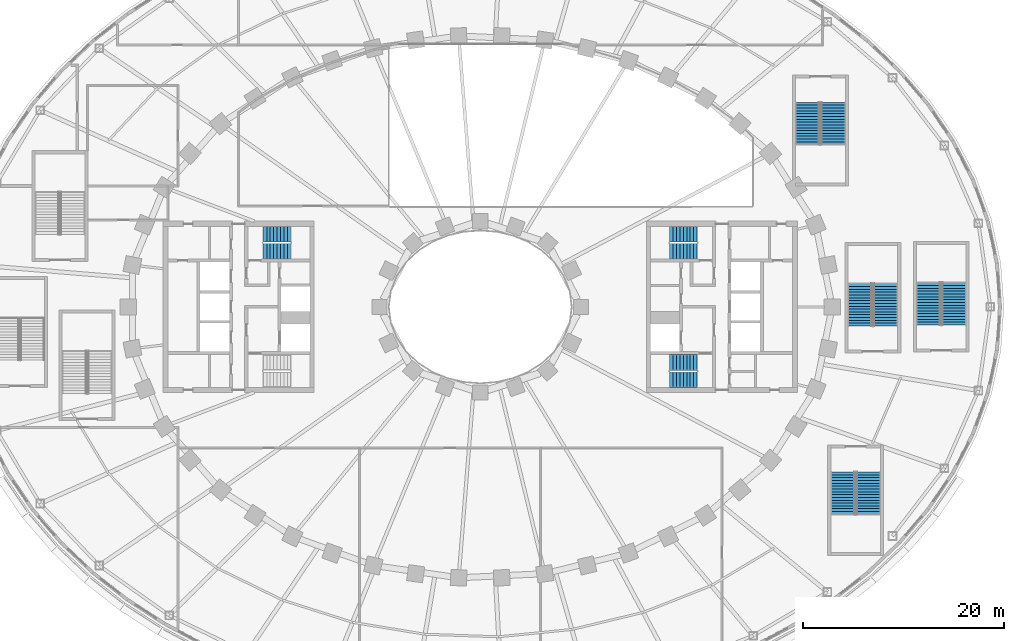
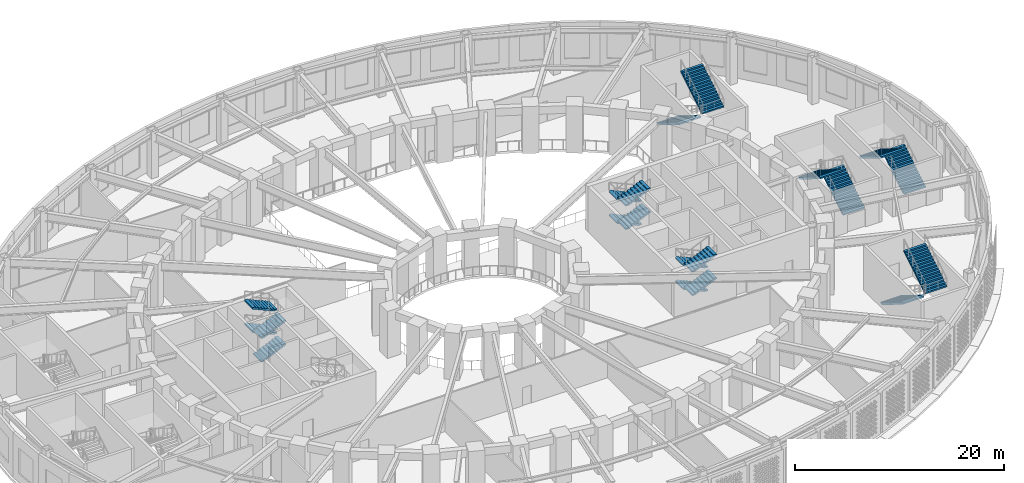
# One storey, part 23 of 69: 20 stair flights, 7 elements without a shape of their own.
"""IFC4 building model written with IfcOpenShell, lengths in metres."""

from ifc_helpers import new_model, si_unit, direction, frame, origin, place, context, subcontext, project, spatial, polyline, outline, extrude, material, type_object, element, aggregate, save


model = new_model("IFC4")

# Units and contexts
model_context = context("Model", 3, precision=1e-05, world=origin(), true_north=direction((0.0, 1.0)))
body_context = subcontext(model_context, "Body", "Model", "MODEL_VIEW")
ifc_project = project(units=[si_unit("LENGTHUNIT", "METRE"), si_unit("AREAUNIT", "SQUARE_METRE"), si_unit("VOLUMEUNIT", "CUBIC_METRE"), si_unit("PLANEANGLEUNIT", "RADIAN"), si_unit("MASSUNIT", "GRAM", prefix="KILO")], contexts=[model_context])

# Site, building, storey
site_placement = place(None, origin())
site = spatial("IfcSite", under=ifc_project, at=site_placement, CompositionType="ELEMENT")
building_placement = place(site_placement, origin())
building = spatial("IfcBuilding", under=site, at=building_placement, Name="Noorbagh Ring Tower", CompositionType="ELEMENT")
storey_placement = place(building_placement, frame((0.0, 0.0, 19.5)))
storey = spatial("IfcBuildingStorey", under=building, at=storey_placement, Name="L03", CompositionType="ELEMENT", Elevation=19.5)

# Stair, stair flights
ifc_material_1 = material(Name="Concrete C40/50", Category="concrete")
stair_type_1 = type_object("IfcStairType", Name="CORE-STAIR", PredefinedType="HALF_TURN_STAIR", material=ifc_material_1)
stair_1_placement = place(storey_placement, origin())
stair_1 = element("IfcStair", 1, at=stair_1_placement, inside=storey, type_object=stair_type_1, Name="L03 Exit stair ST1", PredefinedType="HALF_TURN_STAIR")
ifc_material_2 = material(Name="Concrete C40/50", Category="concrete")
stair_flight_type_1 = type_object("IfcStairFlightType", Name="CORE-STAIR-FLIGHT", PredefinedType="STRAIGHT", material=ifc_material_2)
stair_flight_1_placement = place(storey_placement, frame((-21.530029296875, 5.52490234375, 0.0), z_axis=(0.0, 0.0, 1.0), x_axis=(1.0, 0.0, 0.0)))
stair_flight_1 = element("IfcStairFlight", 2, at=stair_flight_1_placement, type_object=stair_flight_type_1, Name="ST1 flight 1", NumberOfRisers=9, NumberOfTreads=8, PredefinedType="STRAIGHT", RiserHeight=0.152777778, TreadLength=0.34, context=body_context, shape_type="SweptSolid", body=[
    extrude(outline(polyline([(0.0, 0.0), (0.0, 0.15283203125), (0.340087890625, 0.15283203125), (0.340087890625, 0.3056640625), (0.679931640625, 0.3056640625), (0.679931640625, 0.458251953125), (1.02001953125, 0.458251953125), (1.02001953125, 0.611083984375), (1.360107421875, 0.611083984375), (1.360107421875, 0.763916015625), (1.699951171875, 0.763916015625), (1.699951171875, 0.916748046875), (2.0400390625, 0.916748046875), (2.0400390625, 1.0693359375), (2.3798828125, 1.0693359375), (2.3798828125, 1.22216796875), (2.719970703125, 1.22216796875), (2.719970703125, 1.375), (2.719970703125, 1.057861328125), (0.36572265625, 0.0), (0.0, 0.0)])), frame((0.0, 0.77490234375, 0.0), z_axis=(0.0, -1.0, 0.0), x_axis=(1.0, 0.0, 0.0)), (0.0, 0.0, 1.0), 1.550048828125),
])
stair_flight_2_placement = place(storey_placement, frame((-18.81005859375, 7.22509765625, 1.375), z_axis=(0.0, 0.0, 1.0), x_axis=(-1.0, 0.0, 0.0)))
stair_flight_2 = element("IfcStairFlight", 3, at=stair_flight_2_placement, type_object=stair_flight_type_1, Name="ST1 flight 2", NumberOfRisers=9, NumberOfTreads=8, PredefinedType="STRAIGHT", RiserHeight=0.152777778, TreadLength=0.34, context=body_context, shape_type="SweptSolid", body=[
    extrude(outline(polyline([(0.0, 0.0), (0.0, 0.15283203125), (0.340087890625, 0.15283203125), (0.340087890625, 0.3056640625), (0.679931640625, 0.3056640625), (0.679931640625, 0.458251953125), (1.02001953125, 0.458251953125), (1.02001953125, 0.611083984375), (1.360107421875, 0.611083984375), (1.360107421875, 0.763916015625), (1.699951171875, 0.763916015625), (1.699951171875, 0.916748046875), (2.0400390625, 0.916748046875), (2.0400390625, 1.0693359375), (2.3798828125, 1.0693359375), (2.3798828125, 1.22216796875), (2.719970703125, 1.22216796875), (2.719970703125, 1.375), (2.719970703125, 1.057861328125), (0.36572265625, 0.0), (0.0, 0.0)])), frame((0.0, 0.77490234375, 0.0), z_axis=(0.0, -1.0, 0.0), x_axis=(1.0, 0.0, 0.0)), (0.0, 0.0, 1.0), 1.550048828125),
])
stair_flight_3_placement = place(storey_placement, frame((-21.530029296875, 5.52490234375, 2.75), z_axis=(0.0, 0.0, 1.0), x_axis=(1.0, 0.0, 0.0)))
stair_flight_3 = element("IfcStairFlight", 4, at=stair_flight_3_placement, type_object=stair_flight_type_1, Name="ST1 flight 3", NumberOfRisers=9, NumberOfTreads=8, PredefinedType="STRAIGHT", RiserHeight=0.152777778, TreadLength=0.34, context=body_context, shape_type="SweptSolid", body=[
    extrude(outline(polyline([(0.0, 0.0), (0.0, 0.15283203125), (0.340087890625, 0.15283203125), (0.340087890625, 0.3056640625), (0.679931640625, 0.3056640625), (0.679931640625, 0.458251953125), (1.02001953125, 0.458251953125), (1.02001953125, 0.611083984375), (1.360107421875, 0.611083984375), (1.360107421875, 0.763916015625), (1.699951171875, 0.763916015625), (1.699951171875, 0.916748046875), (2.0400390625, 0.916748046875), (2.0400390625, 1.0693359375), (2.3798828125, 1.0693359375), (2.3798828125, 1.22216796875), (2.719970703125, 1.22216796875), (2.719970703125, 1.375), (2.719970703125, 1.057861328125), (0.36572265625, 0.0), (0.0, 0.0)])), frame((0.0, 0.77490234375, 0.0), z_axis=(0.0, -1.0, 0.0), x_axis=(1.0, 0.0, 0.0)), (0.0, 0.0, 1.0), 1.550048828125),
])
stair_flight_4_placement = place(storey_placement, frame((-18.81005859375, 7.22509765625, 4.125), z_axis=(0.0, 0.0, 1.0), x_axis=(-1.0, 0.0, 0.0)))
stair_flight_4 = element("IfcStairFlight", 5, at=stair_flight_4_placement, type_object=stair_flight_type_1, Name="ST1 flight 4", NumberOfRisers=9, NumberOfTreads=8, PredefinedType="STRAIGHT", RiserHeight=0.152777778, TreadLength=0.34, context=body_context, shape_type="SweptSolid", body=[
    extrude(outline(polyline([(0.0, 0.0), (0.0, 0.15283203125), (0.340087890625, 0.15283203125), (0.340087890625, 0.3056640625), (0.679931640625, 0.3056640625), (0.679931640625, 0.458251953125), (1.02001953125, 0.458251953125), (1.02001953125, 0.611083984375), (1.360107421875, 0.611083984375), (1.360107421875, 0.763916015625), (1.699951171875, 0.763916015625), (1.699951171875, 0.916748046875), (2.0400390625, 0.916748046875), (2.0400390625, 1.0693359375), (2.3798828125, 1.0693359375), (2.3798828125, 1.22216796875), (2.719970703125, 1.22216796875), (2.719970703125, 1.375), (2.719970703125, 1.057861328125), (0.36572265625, 0.0), (0.0, 0.0)])), frame((0.0, 0.77490234375, 0.0), z_axis=(0.0, -1.0, 0.0), x_axis=(1.0, 0.0, 0.0)), (0.0, 0.0, 1.0), 1.550048828125),
])
aggregate(stair_1, [stair_flight_1, stair_flight_2, stair_flight_3, stair_flight_4])

stair_2_placement = place(storey_placement, origin())
stair_2 = element("IfcStair", 6, at=stair_2_placement, inside=storey, type_object=stair_type_1, Name="L03 Exit stair ST3", PredefinedType="HALF_TURN_STAIR")
stair_flight_5_placement = place(storey_placement, frame((21.530029296875, 7.22509765625, 0.0), z_axis=(0.0, 0.0, 1.0), x_axis=(-1.0, 0.0, 0.0)))
stair_flight_5 = element("IfcStairFlight", 7, at=stair_flight_5_placement, type_object=stair_flight_type_1, Name="ST3 flight 1", NumberOfRisers=9, NumberOfTreads=8, PredefinedType="STRAIGHT", RiserHeight=0.152777778, TreadLength=0.34, context=body_context, shape_type="SweptSolid", body=[
    extrude(outline(polyline([(0.0, 0.0), (0.0, 0.15283203125), (0.340087890625, 0.15283203125), (0.340087890625, 0.3056640625), (0.679931640625, 0.3056640625), (0.679931640625, 0.458251953125), (1.02001953125, 0.458251953125), (1.02001953125, 0.611083984375), (1.360107421875, 0.611083984375), (1.360107421875, 0.763916015625), (1.699951171875, 0.763916015625), (1.699951171875, 0.916748046875), (2.0400390625, 0.916748046875), (2.0400390625, 1.0693359375), (2.3798828125, 1.0693359375), (2.3798828125, 1.22216796875), (2.719970703125, 1.22216796875), (2.719970703125, 1.375), (2.719970703125, 1.057861328125), (0.36572265625, 0.0), (0.0, 0.0)])), frame((0.0, 0.77490234375, 0.0), z_axis=(0.0, -1.0, 0.0), x_axis=(1.0, 0.0, 0.0)), (0.0, 0.0, 1.0), 1.550048828125),
])
stair_flight_6_placement = place(storey_placement, frame((18.81005859375, 5.52490234375, 1.375), z_axis=(0.0, 0.0, 1.0), x_axis=(1.0, 0.0, 0.0)))
stair_flight_6 = element("IfcStairFlight", 8, at=stair_flight_6_placement, type_object=stair_flight_type_1, Name="ST3 flight 2", NumberOfRisers=9, NumberOfTreads=8, PredefinedType="STRAIGHT", RiserHeight=0.152777778, TreadLength=0.34, context=body_context, shape_type="SweptSolid", body=[
    extrude(outline(polyline([(0.0, 0.0), (0.0, 0.15283203125), (0.340087890625, 0.15283203125), (0.340087890625, 0.3056640625), (0.679931640625, 0.3056640625), (0.679931640625, 0.458251953125), (1.02001953125, 0.458251953125), (1.02001953125, 0.611083984375), (1.360107421875, 0.611083984375), (1.360107421875, 0.763916015625), (1.699951171875, 0.763916015625), (1.699951171875, 0.916748046875), (2.0400390625, 0.916748046875), (2.0400390625, 1.0693359375), (2.3798828125, 1.0693359375), (2.3798828125, 1.22216796875), (2.719970703125, 1.22216796875), (2.719970703125, 1.375), (2.719970703125, 1.057861328125), (0.36572265625, 0.0), (0.0, 0.0)])), frame((0.0, 0.77490234375, 0.0), z_axis=(0.0, -1.0, 0.0), x_axis=(1.0, 0.0, 0.0)), (0.0, 0.0, 1.0), 1.550048828125),
])
stair_flight_7_placement = place(storey_placement, frame((21.530029296875, 7.22509765625, 2.75), z_axis=(0.0, 0.0, 1.0), x_axis=(-1.0, 0.0, 0.0)))
stair_flight_7 = element("IfcStairFlight", 9, at=stair_flight_7_placement, type_object=stair_flight_type_1, Name="ST3 flight 3", NumberOfRisers=9, NumberOfTreads=8, PredefinedType="STRAIGHT", RiserHeight=0.152777778, TreadLength=0.34, context=body_context, shape_type="SweptSolid", body=[
    extrude(outline(polyline([(0.0, 0.0), (0.0, 0.15283203125), (0.340087890625, 0.15283203125), (0.340087890625, 0.3056640625), (0.679931640625, 0.3056640625), (0.679931640625, 0.458251953125), (1.02001953125, 0.458251953125), (1.02001953125, 0.611083984375), (1.360107421875, 0.611083984375), (1.360107421875, 0.763916015625), (1.699951171875, 0.763916015625), (1.699951171875, 0.916748046875), (2.0400390625, 0.916748046875), (2.0400390625, 1.0693359375), (2.3798828125, 1.0693359375), (2.3798828125, 1.22216796875), (2.719970703125, 1.22216796875), (2.719970703125, 1.375), (2.719970703125, 1.057861328125), (0.36572265625, 0.0), (0.0, 0.0)])), frame((0.0, 0.77490234375, 0.0), z_axis=(0.0, -1.0, 0.0), x_axis=(1.0, 0.0, 0.0)), (0.0, 0.0, 1.0), 1.550048828125),
])
stair_flight_8_placement = place(storey_placement, frame((18.81005859375, 5.52490234375, 4.125), z_axis=(0.0, 0.0, 1.0), x_axis=(1.0, 0.0, 0.0)))
stair_flight_8 = element("IfcStairFlight", 10, at=stair_flight_8_placement, type_object=stair_flight_type_1, Name="ST3 flight 4", NumberOfRisers=9, NumberOfTreads=8, PredefinedType="STRAIGHT", RiserHeight=0.152777778, TreadLength=0.34, context=body_context, shape_type="SweptSolid", body=[
    extrude(outline(polyline([(0.0, 0.0), (0.0, 0.15283203125), (0.340087890625, 0.15283203125), (0.340087890625, 0.3056640625), (0.679931640625, 0.3056640625), (0.679931640625, 0.458251953125), (1.02001953125, 0.458251953125), (1.02001953125, 0.611083984375), (1.360107421875, 0.611083984375), (1.360107421875, 0.763916015625), (1.699951171875, 0.763916015625), (1.699951171875, 0.916748046875), (2.0400390625, 0.916748046875), (2.0400390625, 1.0693359375), (2.3798828125, 1.0693359375), (2.3798828125, 1.22216796875), (2.719970703125, 1.22216796875), (2.719970703125, 1.375), (2.719970703125, 1.057861328125), (0.36572265625, 0.0), (0.0, 0.0)])), frame((0.0, 0.77490234375, 0.0), z_axis=(0.0, -1.0, 0.0), x_axis=(1.0, 0.0, 0.0)), (0.0, 0.0, 1.0), 1.550048828125),
])
aggregate(stair_2, [stair_flight_5, stair_flight_6, stair_flight_7, stair_flight_8])

stair_3_placement = place(storey_placement, origin())
stair_3 = element("IfcStair", 11, at=stair_3_placement, inside=storey, type_object=stair_type_1, Name="L03 Exit stair ST4", PredefinedType="HALF_TURN_STAIR")
stair_flight_9_placement = place(storey_placement, frame((21.530029296875, -5.52490234375, 0.0), z_axis=(0.0, 0.0, 1.0), x_axis=(-1.0, 0.0, 0.0)))
stair_flight_9 = element("IfcStairFlight", 12, at=stair_flight_9_placement, type_object=stair_flight_type_1, Name="ST4 flight 1", NumberOfRisers=9, NumberOfTreads=8, PredefinedType="STRAIGHT", RiserHeight=0.152777778, TreadLength=0.34, context=body_context, shape_type="SweptSolid", body=[
    extrude(outline(polyline([(0.0, 0.0), (0.0, 0.15283203125), (0.340087890625, 0.15283203125), (0.340087890625, 0.3056640625), (0.679931640625, 0.3056640625), (0.679931640625, 0.458251953125), (1.02001953125, 0.458251953125), (1.02001953125, 0.611083984375), (1.360107421875, 0.611083984375), (1.360107421875, 0.763916015625), (1.699951171875, 0.763916015625), (1.699951171875, 0.916748046875), (2.0400390625, 0.916748046875), (2.0400390625, 1.0693359375), (2.3798828125, 1.0693359375), (2.3798828125, 1.22216796875), (2.719970703125, 1.22216796875), (2.719970703125, 1.375), (2.719970703125, 1.057861328125), (0.36572265625, 0.0), (0.0, 0.0)])), frame((0.0, 0.77490234375, 0.0), z_axis=(0.0, -1.0, 0.0), x_axis=(1.0, 0.0, 0.0)), (0.0, 0.0, 1.0), 1.550048828125),
])
stair_flight_10_placement = place(storey_placement, frame((18.81005859375, -7.22509765625, 1.375), z_axis=(0.0, 0.0, 1.0), x_axis=(1.0, 0.0, 0.0)))
stair_flight_10 = element("IfcStairFlight", 13, at=stair_flight_10_placement, type_object=stair_flight_type_1, Name="ST4 flight 2", NumberOfRisers=9, NumberOfTreads=8, PredefinedType="STRAIGHT", RiserHeight=0.152777778, TreadLength=0.34, context=body_context, shape_type="SweptSolid", body=[
    extrude(outline(polyline([(0.0, 0.0), (0.0, 0.15283203125), (0.340087890625, 0.15283203125), (0.340087890625, 0.3056640625), (0.679931640625, 0.3056640625), (0.679931640625, 0.458251953125), (1.02001953125, 0.458251953125), (1.02001953125, 0.611083984375), (1.360107421875, 0.611083984375), (1.360107421875, 0.763916015625), (1.699951171875, 0.763916015625), (1.699951171875, 0.916748046875), (2.0400390625, 0.916748046875), (2.0400390625, 1.0693359375), (2.3798828125, 1.0693359375), (2.3798828125, 1.22216796875), (2.719970703125, 1.22216796875), (2.719970703125, 1.375), (2.719970703125, 1.057861328125), (0.36572265625, 0.0), (0.0, 0.0)])), frame((0.0, 0.77490234375, 0.0), z_axis=(0.0, -1.0, 0.0), x_axis=(1.0, 0.0, 0.0)), (0.0, 0.0, 1.0), 1.550048828125),
])
stair_flight_11_placement = place(storey_placement, frame((21.530029296875, -5.52490234375, 2.75), z_axis=(0.0, 0.0, 1.0), x_axis=(-1.0, 0.0, 0.0)))
stair_flight_11 = element("IfcStairFlight", 14, at=stair_flight_11_placement, type_object=stair_flight_type_1, Name="ST4 flight 3", NumberOfRisers=9, NumberOfTreads=8, PredefinedType="STRAIGHT", RiserHeight=0.152777778, TreadLength=0.34, context=body_context, shape_type="SweptSolid", body=[
    extrude(outline(polyline([(0.0, 0.0), (0.0, 0.15283203125), (0.340087890625, 0.15283203125), (0.340087890625, 0.3056640625), (0.679931640625, 0.3056640625), (0.679931640625, 0.458251953125), (1.02001953125, 0.458251953125), (1.02001953125, 0.611083984375), (1.360107421875, 0.611083984375), (1.360107421875, 0.763916015625), (1.699951171875, 0.763916015625), (1.699951171875, 0.916748046875), (2.0400390625, 0.916748046875), (2.0400390625, 1.0693359375), (2.3798828125, 1.0693359375), (2.3798828125, 1.22216796875), (2.719970703125, 1.22216796875), (2.719970703125, 1.375), (2.719970703125, 1.057861328125), (0.36572265625, 0.0), (0.0, 0.0)])), frame((0.0, 0.77490234375, 0.0), z_axis=(0.0, -1.0, 0.0), x_axis=(1.0, 0.0, 0.0)), (0.0, 0.0, 1.0), 1.550048828125),
])
stair_flight_12_placement = place(storey_placement, frame((18.81005859375, -7.22509765625, 4.125), z_axis=(0.0, 0.0, 1.0), x_axis=(1.0, 0.0, 0.0)))
stair_flight_12 = element("IfcStairFlight", 15, at=stair_flight_12_placement, type_object=stair_flight_type_1, Name="ST4 flight 4", NumberOfRisers=9, NumberOfTreads=8, PredefinedType="STRAIGHT", RiserHeight=0.152777778, TreadLength=0.34, context=body_context, shape_type="SweptSolid", body=[
    extrude(outline(polyline([(0.0, 0.0), (0.0, 0.15283203125), (0.340087890625, 0.15283203125), (0.340087890625, 0.3056640625), (0.679931640625, 0.3056640625), (0.679931640625, 0.458251953125), (1.02001953125, 0.458251953125), (1.02001953125, 0.611083984375), (1.360107421875, 0.611083984375), (1.360107421875, 0.763916015625), (1.699951171875, 0.763916015625), (1.699951171875, 0.916748046875), (2.0400390625, 0.916748046875), (2.0400390625, 1.0693359375), (2.3798828125, 1.0693359375), (2.3798828125, 1.22216796875), (2.719970703125, 1.22216796875), (2.719970703125, 1.375), (2.719970703125, 1.057861328125), (0.36572265625, 0.0), (0.0, 0.0)])), frame((0.0, 0.77490234375, 0.0), z_axis=(0.0, -1.0, 0.0), x_axis=(1.0, 0.0, 0.0)), (0.0, 0.0, 1.0), 1.550048828125),
])
aggregate(stair_3, [stair_flight_9, stair_flight_10, stair_flight_11, stair_flight_12])

ifc_material_3 = material(Name="Concrete C40/50", Category="concrete")
stair_type_2 = type_object("IfcStairType", Name="GND-STAIR", PredefinedType="HALF_TURN_STAIR", material=ifc_material_3)
stair_4_placement = place(storey_placement, origin())
stair_4 = element("IfcStair", 16, at=stair_4_placement, inside=storey, type_object=stair_type_2, Name="L03 exit stair ST-P2", PredefinedType="HALF_TURN_STAIR")
ifc_material_4 = material(Name="Concrete C40/50", Category="concrete")
stair_flight_type_2 = type_object("IfcStairFlightType", Name="GND-STAIR-FLIGHT", PredefinedType="STRAIGHT", material=ifc_material_4)
stair_flight_13_placement = place(storey_placement, frame((40.25, -1.89990234375, 0.0), z_axis=(0.0, 0.0, 1.0), x_axis=(0.0, 1.0, 0.0)))
stair_flight_13 = element("IfcStairFlight", 17, at=stair_flight_13_placement, type_object=stair_flight_type_2, Name="ST-P2 flight 1", NumberOfRisers=16, NumberOfTreads=15, PredefinedType="STRAIGHT", RiserHeight=0.171875, TreadLength=0.28, context=body_context, shape_type="SweptSolid", body=[
    extrude(outline(polyline([(0.0, 0.0), (0.0, 0.171875), (0.280029296875, 0.171875), (0.280029296875, 0.34375), (0.56005859375, 0.34375), (0.56005859375, 0.515625), (0.840087890625, 0.515625), (0.840087890625, 0.6875), (1.1201171875, 0.6875), (1.1201171875, 0.859375), (1.39990234375, 0.859375), (1.39990234375, 1.03125), (1.679931640625, 1.03125), (1.679931640625, 1.203125), (1.9599609375, 1.203125), (1.9599609375, 1.375), (2.239990234375, 1.375), (2.239990234375, 1.546875), (2.52001953125, 1.546875), (2.52001953125, 1.71875), (2.800048828125, 1.71875), (2.800048828125, 1.890625), (3.080078125, 1.890625), (3.080078125, 2.0625), (3.360107421875, 2.0625), (3.360107421875, 2.234375), (3.639892578125, 2.234375), (3.639892578125, 2.40625), (3.919921875, 2.40625), (3.919921875, 2.578125), (4.199951171875, 2.578125), (4.199951171875, 2.75), (4.199951171875, 2.40234375), (0.28662109375, 0.0), (0.0, 0.0)])), frame((0.0, 1.199951171875, 0.0), z_axis=(0.0, -1.0, 0.0), x_axis=(1.0, 0.0, 0.0)), (0.0, 0.0, 1.0), 2.39990234375),
])
stair_flight_14_placement = place(storey_placement, frame((37.699951171875, 2.300048828125, 2.75), z_axis=(0.0, 0.0, 1.0), x_axis=(0.0, -1.0, 0.0)))
stair_flight_14 = element("IfcStairFlight", 18, at=stair_flight_14_placement, type_object=stair_flight_type_2, Name="ST-P2 flight 2", NumberOfRisers=16, NumberOfTreads=15, PredefinedType="STRAIGHT", RiserHeight=0.171875, TreadLength=0.28, context=body_context, shape_type="SweptSolid", body=[
    extrude(outline(polyline([(0.0, 0.0), (0.0, 0.171875), (0.280029296875, 0.171875), (0.280029296875, 0.34375), (0.56005859375, 0.34375), (0.56005859375, 0.515625), (0.840087890625, 0.515625), (0.840087890625, 0.6875), (1.1201171875, 0.6875), (1.1201171875, 0.859375), (1.39990234375, 0.859375), (1.39990234375, 1.03125), (1.679931640625, 1.03125), (1.679931640625, 1.203125), (1.9599609375, 1.203125), (1.9599609375, 1.375), (2.239990234375, 1.375), (2.239990234375, 1.546875), (2.52001953125, 1.546875), (2.52001953125, 1.71875), (2.800048828125, 1.71875), (2.800048828125, 1.890625), (3.080078125, 1.890625), (3.080078125, 2.0625), (3.360107421875, 2.0625), (3.360107421875, 2.234375), (3.639892578125, 2.234375), (3.639892578125, 2.40625), (3.919921875, 2.40625), (3.919921875, 2.578125), (4.199951171875, 2.578125), (4.199951171875, 2.75), (4.199951171875, 2.40234375), (0.28662109375, 0.0), (0.0, 0.0)])), frame((0.0, 1.199951171875, 0.0), z_axis=(0.0, -1.0, 0.0), x_axis=(1.0, 0.0, 0.0)), (0.0, 0.0, 1.0), 2.39990234375),
])
aggregate(stair_4, [stair_flight_13, stair_flight_14])

stair_5_placement = place(storey_placement, origin())
stair_5 = element("IfcStair", 19, at=stair_5_placement, inside=storey, type_object=stair_type_2, Name="L03 exit stair ST-P4", PredefinedType="HALF_TURN_STAIR")
stair_flight_15_placement = place(storey_placement, frame((47.050048828125, -1.800048828125, 0.0), z_axis=(0.0, 0.0, 1.0), x_axis=(0.0, 1.0, 0.0)))
stair_flight_15 = element("IfcStairFlight", 20, at=stair_flight_15_placement, type_object=stair_flight_type_2, Name="ST-P4 flight 1", NumberOfRisers=16, NumberOfTreads=15, PredefinedType="STRAIGHT", RiserHeight=0.171875, TreadLength=0.28, context=body_context, shape_type="SweptSolid", body=[
    extrude(outline(polyline([(0.0, 0.0), (0.0, 0.171875), (0.280029296875, 0.171875), (0.280029296875, 0.34375), (0.56005859375, 0.34375), (0.56005859375, 0.515625), (0.840087890625, 0.515625), (0.840087890625, 0.6875), (1.1201171875, 0.6875), (1.1201171875, 0.859375), (1.39990234375, 0.859375), (1.39990234375, 1.03125), (1.679931640625, 1.03125), (1.679931640625, 1.203125), (1.9599609375, 1.203125), (1.9599609375, 1.375), (2.239990234375, 1.375), (2.239990234375, 1.546875), (2.52001953125, 1.546875), (2.52001953125, 1.71875), (2.800048828125, 1.71875), (2.800048828125, 1.890625), (3.080078125, 1.890625), (3.080078125, 2.0625), (3.360107421875, 2.0625), (3.360107421875, 2.234375), (3.639892578125, 2.234375), (3.639892578125, 2.40625), (3.919921875, 2.40625), (3.919921875, 2.578125), (4.199951171875, 2.578125), (4.199951171875, 2.75), (4.199951171875, 2.40234375), (0.28662109375, 0.0), (0.0, 0.0)])), frame((0.0, 1.199951171875, 0.0), z_axis=(0.0, -1.0, 0.0), x_axis=(1.0, 0.0, 0.0)), (0.0, 0.0, 1.0), 2.39990234375),
])
stair_flight_16_placement = place(storey_placement, frame((44.5, 2.39990234375, 2.75), z_axis=(0.0, 0.0, 1.0), x_axis=(0.0, -1.0, 0.0)))
stair_flight_16 = element("IfcStairFlight", 21, at=stair_flight_16_placement, type_object=stair_flight_type_2, Name="ST-P4 flight 2", NumberOfRisers=16, NumberOfTreads=15, PredefinedType="STRAIGHT", RiserHeight=0.171875, TreadLength=0.28, context=body_context, shape_type="SweptSolid", body=[
    extrude(outline(polyline([(0.0, 0.0), (0.0, 0.171875), (0.280029296875, 0.171875), (0.280029296875, 0.34375), (0.56005859375, 0.34375), (0.56005859375, 0.515625), (0.840087890625, 0.515625), (0.840087890625, 0.6875), (1.1201171875, 0.6875), (1.1201171875, 0.859375), (1.39990234375, 0.859375), (1.39990234375, 1.03125), (1.679931640625, 1.03125), (1.679931640625, 1.203125), (1.9599609375, 1.203125), (1.9599609375, 1.375), (2.239990234375, 1.375), (2.239990234375, 1.546875), (2.52001953125, 1.546875), (2.52001953125, 1.71875), (2.800048828125, 1.71875), (2.800048828125, 1.890625), (3.080078125, 1.890625), (3.080078125, 2.0625), (3.360107421875, 2.0625), (3.360107421875, 2.234375), (3.639892578125, 2.234375), (3.639892578125, 2.40625), (3.919921875, 2.40625), (3.919921875, 2.578125), (4.199951171875, 2.578125), (4.199951171875, 2.75), (4.199951171875, 2.40234375), (0.28662109375, 0.0), (0.0, 0.0)])), frame((0.0, 1.199951171875, 0.0), z_axis=(0.0, -1.0, 0.0), x_axis=(1.0, 0.0, 0.0)), (0.0, 0.0, 1.0), 2.39990234375),
])
aggregate(stair_5, [stair_flight_15, stair_flight_16])

stair_6_placement = place(storey_placement, origin())
stair_6 = element("IfcStair", 22, at=stair_6_placement, inside=storey, type_object=stair_type_2, Name="L03 exit stair ST-P5", PredefinedType="HALF_TURN_STAIR")
stair_flight_17_placement = place(storey_placement, frame((32.5, 20.300048828125, 0.0), z_axis=(0.0, 0.0, 1.0), x_axis=(0.0, -1.0, 0.0)))
stair_flight_17 = element("IfcStairFlight", 23, at=stair_flight_17_placement, type_object=stair_flight_type_2, Name="ST-P5 flight 1", NumberOfRisers=16, NumberOfTreads=15, PredefinedType="STRAIGHT", RiserHeight=0.171875, TreadLength=0.28, context=body_context, shape_type="SweptSolid", body=[
    extrude(outline(polyline([(0.0, 0.0), (0.0, 0.171875), (0.280029296875, 0.171875), (0.280029296875, 0.34375), (0.56005859375, 0.34375), (0.56005859375, 0.515625), (0.840087890625, 0.515625), (0.840087890625, 0.6875), (1.1201171875, 0.6875), (1.1201171875, 0.859375), (1.39990234375, 0.859375), (1.39990234375, 1.03125), (1.679931640625, 1.03125), (1.679931640625, 1.203125), (1.9599609375, 1.203125), (1.9599609375, 1.375), (2.239990234375, 1.375), (2.239990234375, 1.546875), (2.52001953125, 1.546875), (2.52001953125, 1.71875), (2.800048828125, 1.71875), (2.800048828125, 1.890625), (3.080078125, 1.890625), (3.080078125, 2.0625), (3.360107421875, 2.0625), (3.360107421875, 2.234375), (3.639892578125, 2.234375), (3.639892578125, 2.40625), (3.919921875, 2.40625), (3.919921875, 2.578125), (4.199951171875, 2.578125), (4.199951171875, 2.75), (4.199951171875, 2.40234375), (0.28662109375, 0.0), (0.0, 0.0)])), frame((0.0, 1.199951171875, 0.0), z_axis=(0.0, -1.0, 0.0), x_axis=(1.0, 0.0, 0.0)), (0.0, 0.0, 1.0), 2.39990234375),
])
stair_flight_18_placement = place(storey_placement, frame((35.050048828125, 16.10009765625, 2.75), z_axis=(0.0, 0.0, 1.0), x_axis=(0.0, 1.0, 0.0)))
stair_flight_18 = element("IfcStairFlight", 24, at=stair_flight_18_placement, type_object=stair_flight_type_2, Name="ST-P5 flight 2", NumberOfRisers=16, NumberOfTreads=15, PredefinedType="STRAIGHT", RiserHeight=0.171875, TreadLength=0.28, context=body_context, shape_type="SweptSolid", body=[
    extrude(outline(polyline([(0.0, 0.0), (0.0, 0.171875), (0.280029296875, 0.171875), (0.280029296875, 0.34375), (0.56005859375, 0.34375), (0.56005859375, 0.515625), (0.840087890625, 0.515625), (0.840087890625, 0.6875), (1.1201171875, 0.6875), (1.1201171875, 0.859375), (1.39990234375, 0.859375), (1.39990234375, 1.03125), (1.679931640625, 1.03125), (1.679931640625, 1.203125), (1.9599609375, 1.203125), (1.9599609375, 1.375), (2.239990234375, 1.375), (2.239990234375, 1.546875), (2.52001953125, 1.546875), (2.52001953125, 1.71875), (2.800048828125, 1.71875), (2.800048828125, 1.890625), (3.080078125, 1.890625), (3.080078125, 2.0625), (3.360107421875, 2.0625), (3.360107421875, 2.234375), (3.639892578125, 2.234375), (3.639892578125, 2.40625), (3.919921875, 2.40625), (3.919921875, 2.578125), (4.199951171875, 2.578125), (4.199951171875, 2.75), (4.199951171875, 2.40234375), (0.28662109375, 0.0), (0.0, 0.0)])), frame((0.0, 1.199951171875, 0.0), z_axis=(0.0, -1.0, 0.0), x_axis=(1.0, 0.0, 0.0)), (0.0, 0.0, 1.0), 2.39990234375),
])
aggregate(stair_6, [stair_flight_17, stair_flight_18])

stair_7_placement = place(storey_placement, origin())
stair_7 = element("IfcStair", 25, at=stair_7_placement, inside=storey, type_object=stair_type_2, Name="L03 exit stair ST-P6", PredefinedType="HALF_TURN_STAIR")
stair_flight_19_placement = place(storey_placement, frame((36.0, -16.39990234375, 0.0), z_axis=(0.0, 0.0, 1.0), x_axis=(0.0, -1.0, 0.0)))
stair_flight_19 = element("IfcStairFlight", 26, at=stair_flight_19_placement, type_object=stair_flight_type_2, Name="ST-P6 flight 1", NumberOfRisers=16, NumberOfTreads=15, PredefinedType="STRAIGHT", RiserHeight=0.171875, TreadLength=0.28, context=body_context, shape_type="SweptSolid", body=[
    extrude(outline(polyline([(0.0, 0.0), (0.0, 0.171875), (0.280029296875, 0.171875), (0.280029296875, 0.34375), (0.56005859375, 0.34375), (0.56005859375, 0.515625), (0.840087890625, 0.515625), (0.840087890625, 0.6875), (1.1201171875, 0.6875), (1.1201171875, 0.859375), (1.39990234375, 0.859375), (1.39990234375, 1.03125), (1.679931640625, 1.03125), (1.679931640625, 1.203125), (1.9599609375, 1.203125), (1.9599609375, 1.375), (2.239990234375, 1.375), (2.239990234375, 1.546875), (2.52001953125, 1.546875), (2.52001953125, 1.71875), (2.800048828125, 1.71875), (2.800048828125, 1.890625), (3.080078125, 1.890625), (3.080078125, 2.0625), (3.360107421875, 2.0625), (3.360107421875, 2.234375), (3.639892578125, 2.234375), (3.639892578125, 2.40625), (3.919921875, 2.40625), (3.919921875, 2.578125), (4.199951171875, 2.578125), (4.199951171875, 2.75), (4.199951171875, 2.40234375), (0.28662109375, 0.0), (0.0, 0.0)])), frame((0.0, 1.199951171875, 0.0), z_axis=(0.0, -1.0, 0.0), x_axis=(1.0, 0.0, 0.0)), (0.0, 0.0, 1.0), 2.39990234375),
])
stair_flight_20_placement = place(storey_placement, frame((38.550048828125, -20.60009765625, 2.75), z_axis=(0.0, 0.0, 1.0), x_axis=(0.0, 1.0, 0.0)))
stair_flight_20 = element("IfcStairFlight", 27, at=stair_flight_20_placement, type_object=stair_flight_type_2, Name="ST-P6 flight 2", NumberOfRisers=16, NumberOfTreads=15, PredefinedType="STRAIGHT", RiserHeight=0.171875, TreadLength=0.28, context=body_context, shape_type="SweptSolid", body=[
    extrude(outline(polyline([(0.0, 0.0), (0.0, 0.171875), (0.280029296875, 0.171875), (0.280029296875, 0.34375), (0.56005859375, 0.34375), (0.56005859375, 0.515625), (0.840087890625, 0.515625), (0.840087890625, 0.6875), (1.1201171875, 0.6875), (1.1201171875, 0.859375), (1.39990234375, 0.859375), (1.39990234375, 1.03125), (1.679931640625, 1.03125), (1.679931640625, 1.203125), (1.9599609375, 1.203125), (1.9599609375, 1.375), (2.239990234375, 1.375), (2.239990234375, 1.546875), (2.52001953125, 1.546875), (2.52001953125, 1.71875), (2.800048828125, 1.71875), (2.800048828125, 1.890625), (3.080078125, 1.890625), (3.080078125, 2.0625), (3.360107421875, 2.0625), (3.360107421875, 2.234375), (3.639892578125, 2.234375), (3.639892578125, 2.40625), (3.919921875, 2.40625), (3.919921875, 2.578125), (4.199951171875, 2.578125), (4.199951171875, 2.75), (4.199951171875, 2.40234375), (0.28662109375, 0.0), (0.0, 0.0)])), frame((0.0, 1.199951171875, 0.0), z_axis=(0.0, -1.0, 0.0), x_axis=(1.0, 0.0, 0.0)), (0.0, 0.0, 1.0), 2.39990234375),
])
aggregate(stair_7, [stair_flight_19, stair_flight_20])

save(model, "model.ifc")
